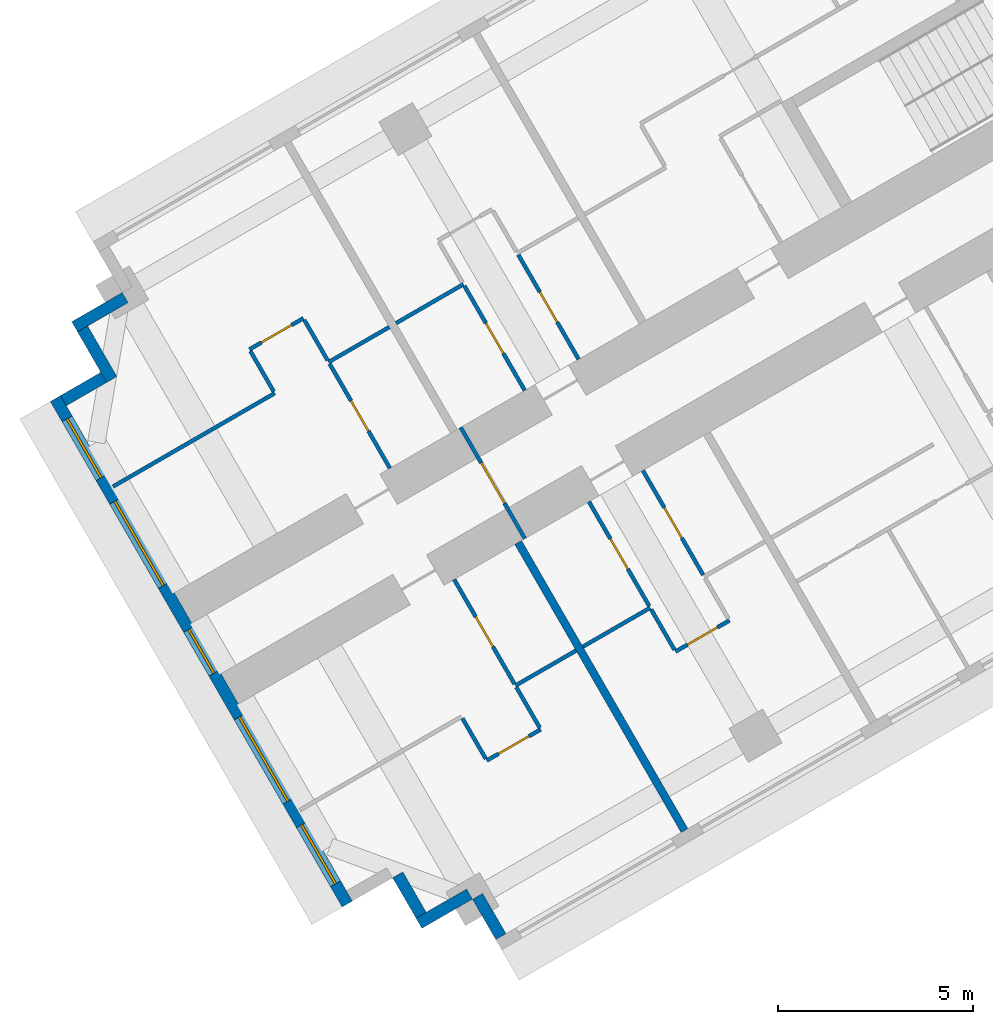
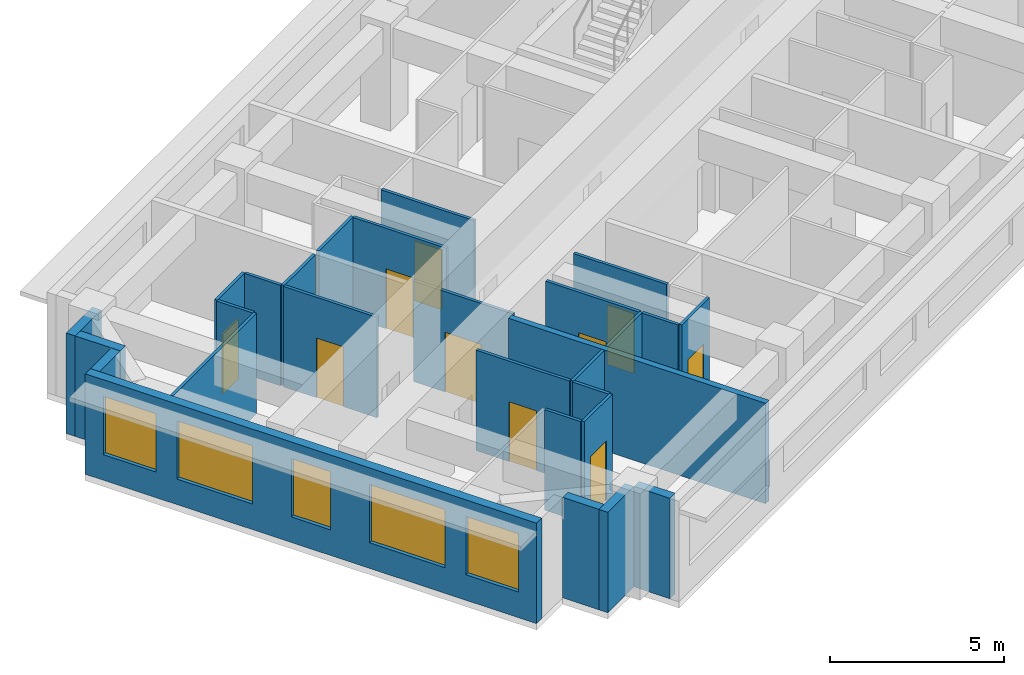
# One storey, part 3 of 16: 28 walls, 10 doors, 5 windows, 15 openings.
"""IFC4 building model written with IfcOpenShell, lengths in metres."""

from ifc_helpers import new_model, si_unit, direction, frame, frame_2d, origin, place, context, subcontext, project, spatial, rectangle, extrude, material, layer, layer_set, type_object, element, fill, save


model = new_model("IFC4")

# Units and contexts
model_context = context("Model", 3, precision=1e-05, world=origin(), true_north=direction((0.0, 1.0)))
body_context = subcontext(model_context, "Body", "Model", "MODEL_VIEW")
ifc_project = project(units=[si_unit("LENGTHUNIT", "METRE"), si_unit("AREAUNIT", "SQUARE_METRE"), si_unit("VOLUMEUNIT", "CUBIC_METRE"), si_unit("PLANEANGLEUNIT", "RADIAN"), si_unit("MASSUNIT", "GRAM", prefix="KILO")], contexts=[model_context])

# Site, building, storey
site_placement = place(None, origin())
site = spatial("IfcSite", under=ifc_project, at=site_placement, CompositionType="ELEMENT")
building_placement = place(site_placement, origin())
building = spatial("IfcBuilding", under=site, at=building_placement, Name="Impinga Residences", CompositionType="ELEMENT")
storey_placement = place(building_placement, frame((0.0, 0.0, 106.0)))
storey = spatial("IfcBuildingStorey", under=building, at=storey_placement, Name="L25", CompositionType="ELEMENT", Elevation=106.0)

# Wall, opening, door
ifc_material_1 = material(Name="Concrete blockwork", Category="masonry")
ifc_layer_1 = layer(ifc_material_1, 0.10009765625)
ifc_layer_set_1 = layer_set([ifc_layer_1], Name="CP1 core room partition, blockwork 100")
wall_type_1 = type_object("IfcWallType", Name="CP1 core room partition, blockwork 100", PredefinedType="PARTITIONING", material=ifc_layer_set_1)
wall_1_placement = place(storey_placement, frame((-33.150390625, -21.044677734375, 0.0), z_axis=(0.0, 0.0, 1.0), x_axis=(-0.50002983664, 0.866008176907, 0.0)))
wall_1 = element("IfcWall", 1, at=wall_1_placement, inside=storey, type_object=wall_type_1, Name="Core room partition, blockwork L25:W:PLB", PredefinedType="PARTITIONING", context=body_context, shape_type="SweptSolid", body=[
    extrude(rectangle(XDim=3.300048828125, YDim=0.10009765625, at=frame_2d((1.64990234375, 0.0))), origin(), (0.0, 0.0, 1.0), 3.530029296875),
])
opening_1_placement = place(wall_1_placement, frame((1.050048828125, 0.0, 0.0)))
opening_1 = element("IfcOpeningElement", 2, at=opening_1_placement, cuts=wall_1, Name="Opening D3", PredefinedType="OPENING", context=body_context, shape_type="SweptSolid", body=[
    extrude(rectangle(XDim=1.199951171875, YDim=2.10009765625, at=frame_2d((0.60009765625, 1.050048828125))), frame((0.0, 0.06005859375, 0.0), z_axis=(0.0, -1.0, 0.0), x_axis=(1.0, 0.0, 0.0)), (0.0, 0.0, 1.0), 0.1201171875),
])
ifc_material_2 = material(Name="Timber door set", Category="wood")
door_type_1 = type_object("IfcDoorType", Name="D3 room door, leaf and a half 1200x2100", OperationType="DOUBLE_SWING_LEFT", PredefinedType="DOOR", material=ifc_material_2)
door_1_placement = place(opening_1_placement, origin())
door_1 = element("IfcDoor", 3, at=door_1_placement, inside=storey, type_object=door_type_1, Name="Private lobby door W", OperationType="DOUBLE_SWING_LEFT", OverallHeight=2.10009765625, OverallWidth=1.199951171875, PredefinedType="DOOR", context=body_context, shape_type="SweptSolid", body=[
    extrude(rectangle(XDim=1.199951171875, YDim=2.10009765625, at=frame_2d((0.60009765625, 1.050048828125))), frame((0.0, 0.02490234375, 0.0), z_axis=(0.0, -1.0, 0.0), x_axis=(1.0, 0.0, 0.0)), (0.0, 0.0, 1.0), 0.050048828125),
])
fill(opening_1, door_1)

# Walls
ifc_material_3 = material(Name="Terracotta rainscreen on blockwork", Category="masonry")
ifc_layer_2 = layer(ifc_material_3, 0.300048828125)
ifc_layer_set_2 = layer_set([ifc_layer_2], Name="EW1 external wall, terracotta rainscreen on blockwork 300")
wall_type_2 = type_object("IfcWallType", Name="EW1 external wall, terracotta rainscreen on blockwork 300", PredefinedType="SOLIDWALL", material=ifc_layer_set_2)
wall_2_placement = place(storey_placement, frame((-33.7685546875, -31.274169921875, 0.0), z_axis=(0.0, 0.0, 1.0), x_axis=(-0.499940577336, 0.866059708757, 0.0)))
element("IfcWall", 4, at=wall_2_placement, inside=storey, type_object=wall_type_2, Name="External wall EW1 L25", PredefinedType="SOLIDWALL", context=body_context, shape_type="SweptSolid", body=[
    extrude(rectangle(XDim=1.195068359375, YDim=0.300048828125, at=frame_2d((0.59765625, 0.0))), origin(), (0.0, 0.0, 1.0), 3.530029296875),
])
wall_3_placement = place(storey_placement, frame((-34.573486328125, -30.18017578125, 0.0), z_axis=(0.0, 0.0, 1.0), x_axis=(-0.866031096941, -0.499990139034, 0.0)))
element("IfcWall", 5, at=wall_3_placement, inside=storey, type_object=wall_type_2, Name="External wall EW1 L25", PredefinedType="SOLIDWALL", context=body_context, shape_type="SweptSolid", body=[
    extrude(rectangle(XDim=1.5, YDim=0.300048828125, at=frame_2d((0.75, 0.0))), origin(), (0.0, 0.0, 1.0), 3.530029296875),
])
wall_4_placement = place(storey_placement, frame((-35.817626953125, -30.72509765625, 0.0), z_axis=(0.0, 0.0, 1.0), x_axis=(-0.499969057507, 0.866043267704, 0.0)))
element("IfcWall", 6, at=wall_4_placement, inside=storey, type_object=wall_type_2, Name="External wall EW1 L25", PredefinedType="SOLIDWALL", context=body_context, shape_type="SweptSolid", body=[
    extrude(rectangle(XDim=1.19970703125, YDim=0.300048828125, at=frame_2d((0.599853515625, 0.0))), origin(), (0.0, 0.0, 1.0), 3.530029296875),
])

# Wall, openings, windows
wall_5_placement = place(storey_placement, frame((-37.716552734375, -30.43603515625, 0.0), z_axis=(0.0, 0.0, 1.0), x_axis=(-0.499997186618, 0.866027028085, 0.0)))
wall_5 = element("IfcWall", 7, at=wall_5_placement, inside=storey, type_object=wall_type_2, Name="External wall EW1 L25", PredefinedType="SOLIDWALL", context=body_context, shape_type="SweptSolid", body=[
    extrude(rectangle(XDim=15.0, YDim=0.300048828125, at=frame_2d((7.5, 0.0))), origin(), (0.0, 0.0, 1.0), 3.530029296875),
])
opening_2_placement = place(wall_5_placement, frame((0.60009765625, 0.0, 0.89990234375)))
opening_2 = element("IfcOpeningElement", 8, at=opening_2_placement, cuts=wall_5, Name="Opening W1", PredefinedType="OPENING", context=body_context, shape_type="SweptSolid", body=[
    extrude(rectangle(XDim=1.75, YDim=2.050048828125, at=frame_2d((0.875, 1.02490234375))), frame((0.0, 0.159912109375, 0.0), z_axis=(0.0, -1.0, 0.0), x_axis=(1.0, 0.0, 0.0)), (0.0, 0.0, 1.0), 0.320068359375),
])
opening_3_placement = place(wall_5_placement, frame((3.050048828125, 0.0, 0.89990234375)))
opening_3 = element("IfcOpeningElement", 9, at=opening_3_placement, cuts=wall_5, Name="Opening W2", PredefinedType="OPENING", context=body_context, shape_type="SweptSolid", body=[
    extrude(rectangle(XDim=2.5, YDim=2.050048828125, at=frame_2d((1.25, 1.02490234375))), frame((0.0, 0.159912109375, 0.0), z_axis=(0.0, -1.0, 0.0), x_axis=(1.0, 0.0, 0.0)), (0.0, 0.0, 1.0), 0.320068359375),
])
opening_4_placement = place(wall_5_placement, frame((6.85009765625, 0.0, 0.89990234375)))
opening_4 = element("IfcOpeningElement", 10, at=opening_4_placement, cuts=wall_5, Name="Opening W17", PredefinedType="OPENING", context=body_context, shape_type="SweptSolid", body=[
    extrude(rectangle(XDim=1.300048828125, YDim=2.050048828125, at=frame_2d((0.64990234375, 1.02490234375))), frame((0.0, 0.159912109375, 0.0), z_axis=(0.0, -1.0, 0.0), x_axis=(1.0, 0.0, 0.0)), (0.0, 0.0, 1.0), 0.320068359375),
])
opening_5_placement = place(wall_5_placement, frame((9.449951171875, 0.0, 0.89990234375)))
opening_5 = element("IfcOpeningElement", 11, at=opening_5_placement, cuts=wall_5, Name="Opening W2", PredefinedType="OPENING", context=body_context, shape_type="SweptSolid", body=[
    extrude(rectangle(XDim=2.5, YDim=2.050048828125, at=frame_2d((1.25, 1.02490234375))), frame((0.0, 0.159912109375, 0.0), z_axis=(0.0, -1.0, 0.0), x_axis=(1.0, 0.0, 0.0)), (0.0, 0.0, 1.0), 0.320068359375),
])
opening_6_placement = place(wall_5_placement, frame((12.64990234375, 0.0, 0.89990234375)))
opening_6 = element("IfcOpeningElement", 12, at=opening_6_placement, cuts=wall_5, Name="Opening W1", PredefinedType="OPENING", context=body_context, shape_type="SweptSolid", body=[
    extrude(rectangle(XDim=1.75, YDim=2.050048828125, at=frame_2d((0.875, 1.02490234375))), frame((0.0, 0.159912109375, 0.0), z_axis=(0.0, -1.0, 0.0), x_axis=(1.0, 0.0, 0.0)), (0.0, 0.0, 1.0), 0.320068359375),
])
ifc_material_4 = material(Name="Aluminium window, clear double glazing", Category="aluminium")
window_type_1 = type_object("IfcWindowType", Name="W1 ribbon window 1750x2050", PartitioningType="SINGLE_PANEL", PredefinedType="WINDOW", material=ifc_material_4)
window_1_placement = place(opening_2_placement, origin())
window_1 = element("IfcWindow", 13, at=window_1_placement, inside=storey, type_object=window_type_1, Name="Window L25", OverallHeight=2.050048828125, OverallWidth=1.75, PartitioningType="SINGLE_PANEL", PredefinedType="WINDOW", context=body_context, shape_type="SweptSolid", body=[
    extrude(rectangle(XDim=1.75, YDim=2.050048828125, at=frame_2d((0.875, 1.02490234375))), frame((0.0, 0.030029296875, 0.0), z_axis=(0.0, -1.0, 0.0), x_axis=(1.0, 0.0, 0.0)), (0.0, 0.0, 1.0), 0.06005859375),
])
fill(opening_2, window_1)
window_2_placement = place(opening_6_placement, origin())
window_2 = element("IfcWindow", 14, at=window_2_placement, inside=storey, type_object=window_type_1, Name="Window L25", OverallHeight=2.050048828125, OverallWidth=1.75, PartitioningType="SINGLE_PANEL", PredefinedType="WINDOW", context=body_context, shape_type="SweptSolid", body=[
    extrude(rectangle(XDim=1.75, YDim=2.050048828125, at=frame_2d((0.875, 1.02490234375))), frame((0.0, 0.030029296875, 0.0), z_axis=(0.0, -1.0, 0.0), x_axis=(1.0, 0.0, 0.0)), (0.0, 0.0, 1.0), 0.06005859375),
])
fill(opening_6, window_2)
window_type_2 = type_object("IfcWindowType", Name="W17 ribbon window 1300x2050", PartitioningType="SINGLE_PANEL", PredefinedType="WINDOW", material=ifc_material_4)
window_3_placement = place(opening_4_placement, origin())
window_3 = element("IfcWindow", 15, at=window_3_placement, inside=storey, type_object=window_type_2, Name="Window L25", OverallHeight=2.050048828125, OverallWidth=1.300048828125, PartitioningType="SINGLE_PANEL", PredefinedType="WINDOW", context=body_context, shape_type="SweptSolid", body=[
    extrude(rectangle(XDim=1.300048828125, YDim=2.050048828125, at=frame_2d((0.64990234375, 1.02490234375))), frame((0.0, 0.030029296875, 0.0), z_axis=(0.0, -1.0, 0.0), x_axis=(1.0, 0.0, 0.0)), (0.0, 0.0, 1.0), 0.06005859375),
])
fill(opening_4, window_3)
window_type_3 = type_object("IfcWindowType", Name="W2 ribbon window 2500x2050", PartitioningType="SINGLE_PANEL", PredefinedType="WINDOW", material=ifc_material_4)
window_4_placement = place(opening_3_placement, origin())
window_4 = element("IfcWindow", 16, at=window_4_placement, inside=storey, type_object=window_type_3, Name="Window L25", OverallHeight=2.050048828125, OverallWidth=2.5, PartitioningType="SINGLE_PANEL", PredefinedType="WINDOW", context=body_context, shape_type="SweptSolid", body=[
    extrude(rectangle(XDim=2.5, YDim=2.050048828125, at=frame_2d((1.25, 1.02490234375))), frame((0.0, 0.030029296875, 0.0), z_axis=(0.0, -1.0, 0.0), x_axis=(1.0, 0.0, 0.0)), (0.0, 0.0, 1.0), 0.06005859375),
])
fill(opening_3, window_4)
window_5_placement = place(opening_5_placement, origin())
window_5 = element("IfcWindow", 17, at=window_5_placement, inside=storey, type_object=window_type_3, Name="Window L25", OverallHeight=2.050048828125, OverallWidth=2.5, PartitioningType="SINGLE_PANEL", PredefinedType="WINDOW", context=body_context, shape_type="SweptSolid", body=[
    extrude(rectangle(XDim=2.5, YDim=2.050048828125, at=frame_2d((1.25, 1.02490234375))), frame((0.0, 0.030029296875, 0.0), z_axis=(0.0, -1.0, 0.0), x_axis=(1.0, 0.0, 0.0)), (0.0, 0.0, 1.0), 0.06005859375),
])
fill(opening_5, window_5)

# Walls
wall_6_placement = place(storey_placement, frame((-45.01171875, -17.50048828125, 0.0), z_axis=(0.0, 0.0, 1.0), x_axis=(0.866059708757, 0.499940577336, 0.0)))
element("IfcWall", 18, at=wall_6_placement, inside=storey, type_object=wall_type_2, Name="External wall EW1 L25", PredefinedType="SOLIDWALL", context=body_context, shape_type="SweptSolid", body=[
    extrude(rectangle(XDim=1.195068359375, YDim=0.300048828125, at=frame_2d((0.59765625, 0.0))), origin(), (0.0, 0.0, 1.0), 3.530029296875),
])
for number, where, z_axis, x_axis, name in (
    (19, (-43.767578125, -16.955322265625, 0.0), (0.0, 0.0, 1.0), (-0.499990139034, 0.866031096941, 0.0), "External wall EW1 L25"),
    (20, (-44.722412109375, -15.6015625, 0.0), (0.0, 0.0, 1.0), (0.866031096941, 0.499990139034, 0.0), "External wall EW1 L25"),
):
    element("IfcWall", number, at=place(storey_placement, frame(where, z_axis=z_axis, x_axis=x_axis)), inside=storey, type_object=wall_type_2, Name=name, PredefinedType="SOLIDWALL", context=body_context, shape_type="SweptSolid", body=[
        extrude(rectangle(XDim=1.5, YDim=0.300048828125, at=frame_2d((0.75, 0.0))), origin(), (0.0, 0.0, 1.0), 3.530029296875),
    ])
ifc_material_5 = material(Name="Gypsum board on steel studs", Category="steel")
ifc_layer_3 = layer(ifc_material_5, 0.10009765625)
ifc_layer_set_3 = layer_set([ifc_layer_3], Name="Gypsum board on steel studs")
wall_type_3 = type_object("IfcWallType", Name="IP1 partition 100", PredefinedType="PARTITIONING", material=ifc_layer_set_3)
wall_7_placement = place(storey_placement, frame((-29.93017578125, -22.82275390625, 0.0), z_axis=(0.0, 0.0, 1.0), x_axis=(-0.866010750942, -0.50002537861, 0.0)))
element("IfcWall", 21, at=wall_7_placement, inside=storey, type_object=wall_type_3, Name="Partition L25-WA4:DIV1", PredefinedType="PARTITIONING", context=body_context, shape_type="SweptSolid", body=[
    extrude(rectangle(XDim=2.0, YDim=0.10009765625, at=frame_2d((1.0, 0.0))), origin(), (0.0, 0.0, 1.0), 3.530029296875),
])

# Wall, opening, door
wall_8_placement = place(storey_placement, frame((-27.89453125, -23.1484375, 0.0), z_axis=(0.0, 0.0, 1.0), x_axis=(-0.865989903783, -0.500061482766, 0.0)))
wall_8 = element("IfcWall", 22, at=wall_8_placement, inside=storey, type_object=wall_type_3, Name="Partition L25-WA4:STRIP", PredefinedType="PARTITIONING", context=body_context, shape_type="SweptSolid", body=[
    extrude(rectangle(XDim=1.599853515625, YDim=0.10009765625, at=frame_2d((0.7998046875, 0.0))), origin(), (0.0, 0.0, 1.0), 3.530029296875),
])
opening_7_placement = place(wall_8_placement, frame((0.35009765625, 0.0, 0.0)))
opening_7 = element("IfcOpeningElement", 23, at=opening_7_placement, cuts=wall_8, Name="Opening D2", PredefinedType="OPENING", context=body_context, shape_type="SweptSolid", body=[
    extrude(rectangle(XDim=0.89990234375, YDim=2.10009765625, at=frame_2d((0.449951171875, 1.050048828125))), frame((0.0, 0.06005859375, 0.0), z_axis=(0.0, -1.0, 0.0), x_axis=(1.0, 0.0, 0.0)), (0.0, 0.0, 1.0), 0.1201171875),
])
door_type_2 = type_object("IfcDoorType", Name="D2 internal door 900x2100", OperationType="SINGLE_SWING_LEFT", PredefinedType="DOOR", material=ifc_material_2)
door_2_placement = place(opening_7_placement, origin())
door_2 = element("IfcDoor", 24, at=door_2_placement, inside=storey, type_object=door_type_2, Name="Apartment L25-WA4 room door", OperationType="SINGLE_SWING_LEFT", OverallHeight=2.10009765625, OverallWidth=0.89990234375, PredefinedType="DOOR", context=body_context, shape_type="SweptSolid", body=[
    extrude(rectangle(XDim=0.89990234375, YDim=2.10009765625, at=frame_2d((0.449951171875, 1.050048828125))), frame((0.0, 0.02490234375, 0.0), z_axis=(0.0, -1.0, 0.0), x_axis=(1.0, 0.0, 0.0)), (0.0, 0.0, 1.0), 0.050048828125),
])
fill(opening_7, door_2)

# Wall
wall_9_placement = place(storey_placement, frame((-29.905029296875, -22.865966796875, 0.0), z_axis=(0.0, 0.0, 1.0), x_axis=(0.499880961361, -0.866094119867, 0.0)))
element("IfcWall", 25, at=wall_9_placement, inside=storey, type_object=wall_type_3, Name="Partition L25-WA4:SE1", PredefinedType="PARTITIONING", context=body_context, shape_type="SweptSolid", body=[
    extrude(rectangle(XDim=1.199951171875, YDim=0.10009765625, at=frame_2d((0.60009765625, 0.0))), origin(), (0.0, 0.0, 1.0), 3.530029296875),
])

# Wall, opening, door
wall_10_placement = place(storey_placement, frame((-30.119384765625, -19.294677734375, 0.0), z_axis=(0.0, 0.0, 1.0), x_axis=(0.49999285859, -0.86602952684, 0.0)))
wall_10 = element("IfcWall", 26, at=wall_10_placement, inside=storey, type_object=wall_type_3, Name="Partition L25-WA4:IB1", PredefinedType="PARTITIONING", context=body_context, shape_type="SweptSolid", body=[
    extrude(rectangle(XDim=3.10009765625, YDim=0.10009765625, at=frame_2d((1.550048828125, 0.0))), origin(), (0.0, 0.0, 1.0), 3.530029296875),
])
opening_8_placement = place(wall_10_placement, frame((1.10009765625, 0.0, 0.0)))
opening_8 = element("IfcOpeningElement", 27, at=opening_8_placement, cuts=wall_10, Name="Opening D2", PredefinedType="OPENING", context=body_context, shape_type="SweptSolid", body=[
    extrude(rectangle(XDim=0.89990234375, YDim=2.10009765625, at=frame_2d((0.449951171875, 1.050048828125))), frame((0.0, 0.06005859375, 0.0), z_axis=(0.0, -1.0, 0.0), x_axis=(1.0, 0.0, 0.0)), (0.0, 0.0, 1.0), 0.1201171875),
])
door_3_placement = place(opening_8_placement, origin())
door_3 = element("IfcDoor", 28, at=door_3_placement, inside=storey, type_object=door_type_2, Name="Apartment L25-WA4 bathroom door", OperationType="SINGLE_SWING_LEFT", OverallHeight=2.10009765625, OverallWidth=0.89990234375, PredefinedType="DOOR", context=body_context, shape_type="SweptSolid", body=[
    extrude(rectangle(XDim=0.89990234375, YDim=2.10009765625, at=frame_2d((0.449951171875, 1.050048828125))), frame((0.0, 0.02490234375, 0.0), z_axis=(0.0, -1.0, 0.0), x_axis=(1.0, 0.0, 0.0)), (0.0, 0.0, 1.0), 0.050048828125),
])
fill(opening_8, door_3)

wall_11_placement = place(storey_placement, frame((-31.505126953125, -20.0947265625, 0.0), z_axis=(0.0, 0.0, 1.0), x_axis=(0.500026960575, -0.86600983753, 0.0)))
wall_11 = element("IfcWall", 29, at=wall_11_placement, inside=storey, type_object=wall_type_3, Name="Partition L25-WA4:IB2", PredefinedType="PARTITIONING", context=body_context, shape_type="SweptSolid", body=[
    extrude(rectangle(XDim=3.099853515625, YDim=0.10009765625, at=frame_2d((1.5498046875, 0.0))), origin(), (0.0, 0.0, 1.0), 3.530029296875),
])
opening_9_placement = place(wall_11_placement, frame((1.10009765625, 0.0, 0.0)))
opening_9 = element("IfcOpeningElement", 30, at=opening_9_placement, cuts=wall_11, Name="Opening D2", PredefinedType="OPENING", context=body_context, shape_type="SweptSolid", body=[
    extrude(rectangle(XDim=0.89990234375, YDim=2.10009765625, at=frame_2d((0.449951171875, 1.050048828125))), frame((0.0, 0.06005859375, 0.0), z_axis=(0.0, -1.0, 0.0), x_axis=(1.0, 0.0, 0.0)), (0.0, 0.0, 1.0), 0.1201171875),
])
door_4_placement = place(opening_9_placement, origin())
door_4 = element("IfcDoor", 31, at=door_4_placement, inside=storey, type_object=door_type_2, Name="Apartment L25-WA4 WC door", OperationType="SINGLE_SWING_LEFT", OverallHeight=2.10009765625, OverallWidth=0.89990234375, PredefinedType="DOOR", context=body_context, shape_type="SweptSolid", body=[
    extrude(rectangle(XDim=0.89990234375, YDim=2.10009765625, at=frame_2d((0.449951171875, 1.050048828125))), frame((0.0, 0.02490234375, 0.0), z_axis=(0.0, -1.0, 0.0), x_axis=(1.0, 0.0, 0.0)), (0.0, 0.0, 1.0), 0.050048828125),
])
fill(opening_9, door_4)

# Wall
wall_12_placement = place(storey_placement, frame((-31.835205078125, -23.922607421875, 0.0), z_axis=(0.0, 0.0, 1.0), x_axis=(-0.865989075817, -0.500062916607, 0.0)))
element("IfcWall", 32, at=wall_12_placement, inside=storey, type_object=wall_type_3, Name="Partition L25-WA5:DIV0", PredefinedType="PARTITIONING", context=body_context, shape_type="SweptSolid", body=[
    extrude(rectangle(XDim=1.800048828125, YDim=0.10009765625, at=frame_2d((0.89990234375, 0.0))), origin(), (0.0, 0.0, 1.0), 3.530029296875),
])

# Wall, opening, door
wall_13_placement = place(storey_placement, frame((-32.744140625, -25.948486328125, 0.0), z_axis=(0.0, 0.0, 1.0), x_axis=(-0.866028054938, -0.499995408039, 0.0)))
wall_13 = element("IfcWall", 33, at=wall_13_placement, inside=storey, type_object=wall_type_3, Name="Partition L25-WA5:STRIP", PredefinedType="PARTITIONING", context=body_context, shape_type="SweptSolid", body=[
    extrude(rectangle(XDim=1.60009765625, YDim=0.10009765625, at=frame_2d((0.800048828125, 0.0))), origin(), (0.0, 0.0, 1.0), 3.530029296875),
])
opening_10_placement = place(wall_13_placement, frame((0.35009765625, 0.0, 0.0)))
opening_10 = element("IfcOpeningElement", 34, at=opening_10_placement, cuts=wall_13, Name="Opening D2", PredefinedType="OPENING", context=body_context, shape_type="SweptSolid", body=[
    extrude(rectangle(XDim=0.89990234375, YDim=2.10009765625, at=frame_2d((0.449951171875, 1.050048828125))), frame((0.0, 0.06005859375, 0.0), z_axis=(0.0, -1.0, 0.0), x_axis=(1.0, 0.0, 0.0)), (0.0, 0.0, 1.0), 0.1201171875),
])
door_5_placement = place(opening_10_placement, origin())
door_5 = element("IfcDoor", 35, at=door_5_placement, inside=storey, type_object=door_type_2, Name="Apartment L25-WA5 room door", OperationType="SINGLE_SWING_LEFT", OverallHeight=2.10009765625, OverallWidth=0.89990234375, PredefinedType="DOOR", context=body_context, shape_type="SweptSolid", body=[
    extrude(rectangle(XDim=0.89990234375, YDim=2.10009765625, at=frame_2d((0.449951171875, 1.050048828125))), frame((0.0, 0.02490234375, 0.0), z_axis=(0.0, -1.0, 0.0), x_axis=(1.0, 0.0, 0.0)), (0.0, 0.0, 1.0), 0.050048828125),
])
fill(opening_10, door_5)

# Walls
for number, where, z_axis, x_axis, name in (
    (36, (-33.369140625, -24.865966796875, 0.0), (0.0, 0.0, 1.0), (0.500033551112, -0.866006032174, 0.0), "Partition L25-WA5:SE0"),
    (37, (-34.7548828125, -25.666015625, 0.0), (0.0, 0.0, 1.0), (0.500033551112, -0.866006032174, 0.0), "Partition L25-WA5:SE1"),
):
    element("IfcWall", number, at=place(storey_placement, frame(where, z_axis=z_axis, x_axis=x_axis)), inside=storey, type_object=wall_type_3, Name=name, PredefinedType="PARTITIONING", context=body_context, shape_type="SweptSolid", body=[
        extrude(rectangle(XDim=1.2001953125, YDim=0.10009765625, at=frame_2d((0.60009765625, 0.0))), origin(), (0.0, 0.0, 1.0), 3.530029296875),
    ])

# Wall, opening, door
wall_14_placement = place(storey_placement, frame((-34.96923828125, -22.0947265625, 0.0), z_axis=(0.0, 0.0, 1.0), x_axis=(0.500026960575, -0.86600983753, 0.0)))
wall_14 = element("IfcWall", 38, at=wall_14_placement, inside=storey, type_object=wall_type_3, Name="Partition L25-WA5:IB1", PredefinedType="PARTITIONING", context=body_context, shape_type="SweptSolid", body=[
    extrude(rectangle(XDim=3.099853515625, YDim=0.10009765625, at=frame_2d((1.5498046875, 0.0))), origin(), (0.0, 0.0, 1.0), 3.530029296875),
])
opening_11_placement = place(wall_14_placement, frame((1.10009765625, 0.0, 0.0)))
opening_11 = element("IfcOpeningElement", 39, at=opening_11_placement, cuts=wall_14, Name="Opening D2", PredefinedType="OPENING", context=body_context, shape_type="SweptSolid", body=[
    extrude(rectangle(XDim=0.89990234375, YDim=2.10009765625, at=frame_2d((0.449951171875, 1.050048828125))), frame((0.0, 0.06005859375, 0.0), z_axis=(0.0, -1.0, 0.0), x_axis=(1.0, 0.0, 0.0)), (0.0, 0.0, 1.0), 0.1201171875),
])
door_6_placement = place(opening_11_placement, origin())
door_6 = element("IfcDoor", 40, at=door_6_placement, inside=storey, type_object=door_type_2, Name="Apartment L25-WA5 bathroom door", OperationType="SINGLE_SWING_LEFT", OverallHeight=2.10009765625, OverallWidth=0.89990234375, PredefinedType="DOOR", context=body_context, shape_type="SweptSolid", body=[
    extrude(rectangle(XDim=0.89990234375, YDim=2.10009765625, at=frame_2d((0.449951171875, 1.050048828125))), frame((0.0, 0.02490234375, 0.0), z_axis=(0.0, -1.0, 0.0), x_axis=(1.0, 0.0, 0.0)), (0.0, 0.0, 1.0), 0.050048828125),
])
fill(opening_11, door_6)

# Wall
wall_15_placement = place(storey_placement, frame((-34.72998046875, -14.5087890625, 0.0), z_axis=(0.0, 0.0, 1.0), x_axis=(-0.866041268327, -0.499972520799, 0.0)))
element("IfcWall", 41, at=wall_15_placement, inside=storey, type_object=wall_type_3, Name="Partition L25-WF3:DIV1", PredefinedType="PARTITIONING", context=body_context, shape_type="SweptSolid", body=[
    extrude(rectangle(XDim=2.0, YDim=0.10009765625, at=frame_2d((1.0, 0.0))), origin(), (0.0, 0.0, 1.0), 3.530029296875),
])

# Wall, opening, door
wall_16_placement = place(storey_placement, frame((-31.76953125, -16.436767578125, 0.0), z_axis=(0.0, 0.0, 1.0), x_axis=(-0.499967891604, 0.866043940782, 0.0)))
wall_16 = element("IfcWall", 42, at=wall_16_placement, inside=storey, type_object=wall_type_3, Name="Partition L25-WF3:IB1", PredefinedType="PARTITIONING", context=body_context, shape_type="SweptSolid", body=[
    extrude(rectangle(XDim=3.099853515625, YDim=0.10009765625, at=frame_2d((1.5498046875, 0.0))), origin(), (0.0, 0.0, 1.0), 3.530029296875),
])
opening_12_placement = place(wall_16_placement, frame((1.10009765625, 0.0, 0.0)))
opening_12 = element("IfcOpeningElement", 43, at=opening_12_placement, cuts=wall_16, Name="Opening D2", PredefinedType="OPENING", context=body_context, shape_type="SweptSolid", body=[
    extrude(rectangle(XDim=0.89990234375, YDim=2.10009765625, at=frame_2d((0.449951171875, 1.050048828125))), frame((0.0, 0.06005859375, 0.0), z_axis=(0.0, -1.0, 0.0), x_axis=(1.0, 0.0, 0.0)), (0.0, 0.0, 1.0), 0.1201171875),
])
door_7_placement = place(opening_12_placement, origin())
door_7 = element("IfcDoor", 44, at=door_7_placement, inside=storey, type_object=door_type_2, Name="Apartment L25-WF3 bathroom door", OperationType="SINGLE_SWING_LEFT", OverallHeight=2.10009765625, OverallWidth=0.89990234375, PredefinedType="DOOR", context=body_context, shape_type="SweptSolid", body=[
    extrude(rectangle(XDim=0.89990234375, YDim=2.10009765625, at=frame_2d((0.449951171875, 1.050048828125))), frame((0.0, 0.02490234375, 0.0), z_axis=(0.0, -1.0, 0.0), x_axis=(1.0, 0.0, 0.0)), (0.0, 0.0, 1.0), 0.050048828125),
])
fill(opening_12, door_7)

wall_17_placement = place(storey_placement, frame((-33.155029296875, -17.23681640625, 0.0), z_axis=(0.0, 0.0, 1.0), x_axis=(-0.500026960575, 0.86600983753, 0.0)))
wall_17 = element("IfcWall", 45, at=wall_17_placement, inside=storey, type_object=wall_type_3, Name="Partition L25-WF3:IB2", PredefinedType="PARTITIONING", context=body_context, shape_type="SweptSolid", body=[
    extrude(rectangle(XDim=3.099853515625, YDim=0.10009765625, at=frame_2d((1.5498046875, 0.0))), origin(), (0.0, 0.0, 1.0), 3.530029296875),
])
opening_13_placement = place(wall_17_placement, frame((1.10009765625, 0.0, 0.0)))
opening_13 = element("IfcOpeningElement", 46, at=opening_13_placement, cuts=wall_17, Name="Opening D2", PredefinedType="OPENING", context=body_context, shape_type="SweptSolid", body=[
    extrude(rectangle(XDim=0.89990234375, YDim=2.10009765625, at=frame_2d((0.449951171875, 1.050048828125))), frame((0.0, 0.06005859375, 0.0), z_axis=(0.0, -1.0, 0.0), x_axis=(1.0, 0.0, 0.0)), (0.0, 0.0, 1.0), 0.1201171875),
])
door_8_placement = place(opening_13_placement, origin())
door_8 = element("IfcDoor", 47, at=door_8_placement, inside=storey, type_object=door_type_2, Name="Apartment L25-WF3 WC door", OperationType="SINGLE_SWING_LEFT", OverallHeight=2.10009765625, OverallWidth=0.89990234375, PredefinedType="DOOR", context=body_context, shape_type="SweptSolid", body=[
    extrude(rectangle(XDim=0.89990234375, YDim=2.10009765625, at=frame_2d((0.449951171875, 1.050048828125))), frame((0.0, 0.02490234375, 0.0), z_axis=(0.0, -1.0, 0.0), x_axis=(1.0, 0.0, 0.0)), (0.0, 0.0, 1.0), 0.050048828125),
])
fill(opening_13, door_8)

# Walls
wall_18_placement = place(storey_placement, frame((-36.63525390625, -15.60888671875, 0.0), z_axis=(0.0, 0.0, 1.0), x_axis=(-0.866047807691, -0.499961193289, 0.0)))
element("IfcWall", 48, at=wall_18_placement, inside=storey, type_object=wall_type_3, Name="Partition L25-WF4:DIV0", PredefinedType="PARTITIONING", context=body_context, shape_type="SweptSolid", body=[
    extrude(rectangle(XDim=1.800048828125, YDim=0.10009765625, at=frame_2d((0.89990234375, 0.0))), origin(), (0.0, 0.0, 1.0), 3.530029296875),
])
wall_19_placement = place(storey_placement, frame((-39.579833984375, -17.308837890625, 0.0), z_axis=(0.0, 0.0, 1.0), x_axis=(-0.866037363387, -0.499979284789, 0.0)))
element("IfcWall", 49, at=wall_19_placement, inside=storey, type_object=wall_type_3, Name="Partition L25-WF4:DIV1", PredefinedType="PARTITIONING", context=body_context, shape_type="SweptSolid", body=[
    extrude(rectangle(XDim=4.800048828125, YDim=0.10009765625, at=frame_2d((2.39990234375, 0.0))), origin(), (0.0, 0.0, 1.0), 3.530029296875),
])

# Wall, opening, door
wall_20_placement = place(storey_placement, frame((-38.84423828125, -15.383056640625, 0.0), z_axis=(0.0, 0.0, 1.0), x_axis=(-0.865989903783, -0.500061482766, 0.0)))
wall_20 = element("IfcWall", 50, at=wall_20_placement, inside=storey, type_object=wall_type_3, Name="Partition L25-WF4:STRIP", PredefinedType="PARTITIONING", context=body_context, shape_type="SweptSolid", body=[
    extrude(rectangle(XDim=1.599853515625, YDim=0.10009765625, at=frame_2d((0.7998046875, 0.0))), origin(), (0.0, 0.0, 1.0), 3.530029296875),
])
opening_14_placement = place(wall_20_placement, frame((0.35009765625, 0.0, 0.0)))
opening_14 = element("IfcOpeningElement", 51, at=opening_14_placement, cuts=wall_20, Name="Opening D2", PredefinedType="OPENING", context=body_context, shape_type="SweptSolid", body=[
    extrude(rectangle(XDim=0.89990234375, YDim=2.10009765625, at=frame_2d((0.449951171875, 1.050048828125))), frame((0.0, 0.06005859375, 0.0), z_axis=(0.0, -1.0, 0.0), x_axis=(1.0, 0.0, 0.0)), (0.0, 0.0, 1.0), 0.1201171875),
])
door_9_placement = place(opening_14_placement, origin())
door_9 = element("IfcDoor", 52, at=door_9_placement, inside=storey, type_object=door_type_2, Name="Apartment L25-WF4 room door", OperationType="SINGLE_SWING_LEFT", OverallHeight=2.10009765625, OverallWidth=0.89990234375, PredefinedType="DOOR", context=body_context, shape_type="SweptSolid", body=[
    extrude(rectangle(XDim=0.89990234375, YDim=2.10009765625, at=frame_2d((0.449951171875, 1.050048828125))), frame((0.0, 0.02490234375, 0.0), z_axis=(0.0, -1.0, 0.0), x_axis=(1.0, 0.0, 0.0)), (0.0, 0.0, 1.0), 0.050048828125),
])
fill(opening_14, door_9)

# Walls
wall_21_placement = place(storey_placement, frame((-38.21923828125, -16.465576171875, 0.0), z_axis=(0.0, 0.0, 1.0), x_axis=(-0.499880961361, 0.866094119867, 0.0)))
element("IfcWall", 53, at=wall_21_placement, inside=storey, type_object=wall_type_3, Name="Partition L25-WF4:SE0", PredefinedType="PARTITIONING", context=body_context, shape_type="SweptSolid", body=[
    extrude(rectangle(XDim=1.199951171875, YDim=0.10009765625, at=frame_2d((0.60009765625, 0.0))), origin(), (0.0, 0.0, 1.0), 3.530029296875),
])
wall_22_placement = place(storey_placement, frame((-39.604736328125, -17.265625, 0.0), z_axis=(0.0, 0.0, 1.0), x_axis=(-0.500033551112, 0.866006032174, 0.0)))
element("IfcWall", 54, at=wall_22_placement, inside=storey, type_object=wall_type_3, Name="Partition L25-WF4:SE1", PredefinedType="PARTITIONING", context=body_context, shape_type="SweptSolid", body=[
    extrude(rectangle(XDim=1.2001953125, YDim=0.10009765625, at=frame_2d((0.60009765625, 0.0))), origin(), (0.0, 0.0, 1.0), 3.530029296875),
])

# Wall, opening, door
wall_23_placement = place(storey_placement, frame((-36.619140625, -19.23681640625, 0.0), z_axis=(0.0, 0.0, 1.0), x_axis=(-0.500026960575, 0.86600983753, 0.0)))
wall_23 = element("IfcWall", 55, at=wall_23_placement, inside=storey, type_object=wall_type_3, Name="Partition L25-WF4:IB1", PredefinedType="PARTITIONING", context=body_context, shape_type="SweptSolid", body=[
    extrude(rectangle(XDim=3.099853515625, YDim=0.10009765625, at=frame_2d((1.5498046875, 0.0))), origin(), (0.0, 0.0, 1.0), 3.530029296875),
])
opening_15_placement = place(wall_23_placement, frame((1.10009765625, 0.0, 0.0)))
opening_15 = element("IfcOpeningElement", 56, at=opening_15_placement, cuts=wall_23, Name="Opening D2", PredefinedType="OPENING", context=body_context, shape_type="SweptSolid", body=[
    extrude(rectangle(XDim=0.89990234375, YDim=2.10009765625, at=frame_2d((0.449951171875, 1.050048828125))), frame((0.0, 0.06005859375, 0.0), z_axis=(0.0, -1.0, 0.0), x_axis=(1.0, 0.0, 0.0)), (0.0, 0.0, 1.0), 0.1201171875),
])
door_10_placement = place(opening_15_placement, origin())
door_10 = element("IfcDoor", 57, at=door_10_placement, inside=storey, type_object=door_type_2, Name="Apartment L25-WF4 bathroom door", OperationType="SINGLE_SWING_LEFT", OverallHeight=2.10009765625, OverallWidth=0.89990234375, PredefinedType="DOOR", context=body_context, shape_type="SweptSolid", body=[
    extrude(rectangle(XDim=0.89990234375, YDim=2.10009765625, at=frame_2d((0.449951171875, 1.050048828125))), frame((0.0, 0.02490234375, 0.0), z_axis=(0.0, -1.0, 0.0), x_axis=(1.0, 0.0, 0.0)), (0.0, 0.0, 1.0), 0.050048828125),
])
fill(opening_15, door_10)

# Wall
ifc_layer_4 = layer(ifc_material_1, 0.199951171875)
ifc_layer_set_4 = layer_set([ifc_layer_4], Name="PW1 party wall between apartments 200")
wall_type_4 = type_object("IfcWallType", Name="PW1 party wall between apartments 200", PredefinedType="SOLIDWALL", material=ifc_layer_set_4)
wall_24_placement = place(storey_placement, frame((-33.32373046875, -21.144775390625, 0.0), z_axis=(0.0, 0.0, 1.0), x_axis=(0.499990227581, -0.86603104582, 0.0)))
element("IfcWall", 58, at=wall_24_placement, inside=storey, type_object=wall_type_4, Name="Party wall between apartments L25-WA4:PARTY", PredefinedType="SOLIDWALL", context=body_context, shape_type="SweptSolid", body=[
    extrude(rectangle(XDim=8.550048828125, YDim=0.199951171875, at=frame_2d((4.27490234375, 0.0))), origin(), (0.0, 0.0, 1.0), 3.530029296875),
])

save(model, "model.ifc")
